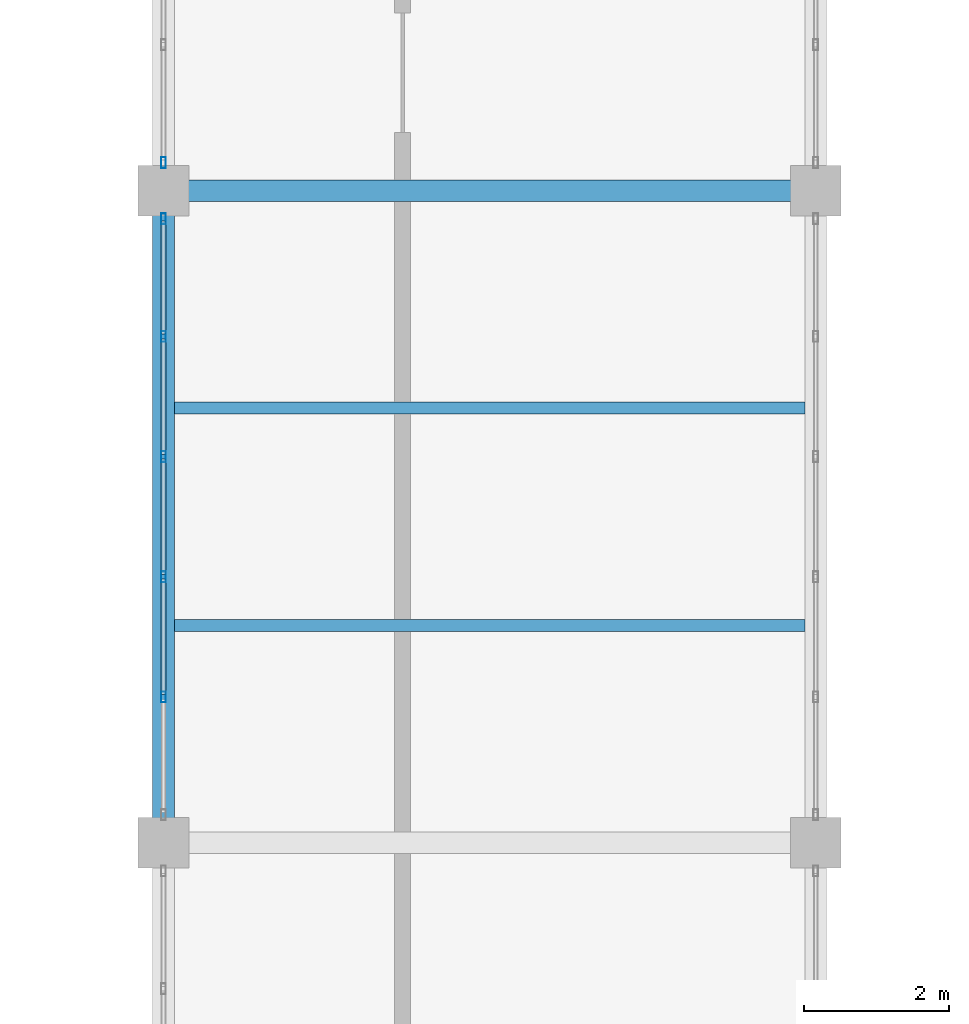
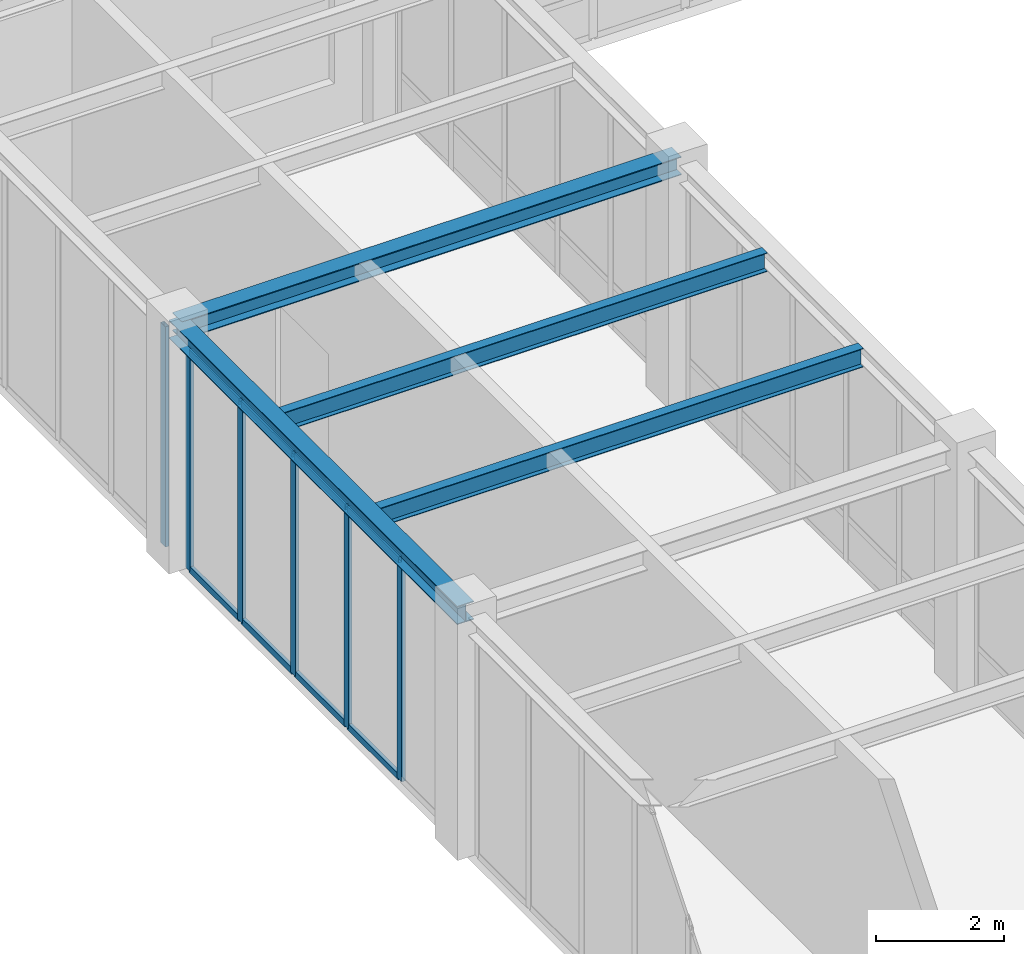
# One storey, part 51 of 92: 14 members, 4 beams, 2 elements without a shape of their own.
"""IFC4 building model written with IfcOpenShell, lengths in metres."""

from ifc_helpers import new_model, si_unit, direction, frame, origin, origin_2d, place, context, subcontext, project, spatial, hollow_rectangle, i_section, extrude, material, material_profile, profile_set, type_object, element, aggregate, save


model = new_model("IFC4")

# Units and contexts
model_context = context("Model", 3, precision=1e-05, world=origin(), true_north=direction((0.0, 1.0)))
body_context = subcontext(model_context, "Body", "Model", "MODEL_VIEW")
ifc_project = project(units=[si_unit("LENGTHUNIT", "METRE"), si_unit("AREAUNIT", "SQUARE_METRE"), si_unit("VOLUMEUNIT", "CUBIC_METRE"), si_unit("PLANEANGLEUNIT", "RADIAN"), si_unit("MASSUNIT", "GRAM", prefix="KILO")], contexts=[model_context])

# Site, building, storey
site_placement = place(None, origin())
site = spatial("IfcSite", under=ifc_project, at=site_placement, CompositionType="ELEMENT")
building_placement = place(site_placement, origin())
building = spatial("IfcBuilding", under=site, at=building_placement, Name="Lykobir Media Centre", CompositionType="ELEMENT")
storey_placement = place(building_placement, frame((0.0, 0.0, 5.39990234375)))
storey = spatial("IfcBuildingStorey", under=building, at=storey_placement, Name="L01", CompositionType="ELEMENT", Elevation=5.39990234375)

# Curtain wall, members
ifc_material_1 = material(Name="Anodized Aluminium AW-6060", Category="aluminium")
curtain_wall_type = type_object("IfcCurtainWallType", Name="CW-BRIDGE", PredefinedType="NOTDEFINED", material=ifc_material_1)
curtain_wall_1_placement = place(storey_placement, origin())
curtain_wall_1 = element("IfcCurtainWall", 1, at=curtain_wall_1_placement, inside=storey, type_object=curtain_wall_type, Name="Curtain wall CW2-L01-0041", PredefinedType="NOTDEFINED")
ifc_material_profile_1 = material_profile(ifc_material_1, hollow_rectangle(XDim=0.06494140625, YDim=0.14990234375, WallThickness=0.00341796875, at=origin_2d()), Name="ALU MULLION 65x150")
ifc_profile_set_1 = profile_set([ifc_material_profile_1], Name="Anodized Aluminium AW-6060")
member_type_1 = type_object("IfcMemberType", Name="CWM-150", PredefinedType="MULLION", material=ifc_profile_set_1)
member_1_placement = place(storey_placement, frame((90.0, 56.012939453125, 0.0), z_axis=(0.0, 0.0, 1.0), x_axis=(-1.0, 0.0, 0.0)))
member_1 = element("IfcMember", 2, at=member_1_placement, type_object=member_type_1, Name="CW2-L01-0041 mullion 2", PredefinedType="MULLION", context=body_context, shape_type="SweptSolid", body=[
    extrude(hollow_rectangle(XDim=0.06494140625, YDim=0.14990234375, WallThickness=0.00341796875, at=origin_2d()), origin(), (0.0, 0.0, 1.0), 4.195068359375),
])
member_2_placement = place(storey_placement, frame((90.0, 57.6708984375, 0.0), z_axis=(0.0, 0.0, 1.0), x_axis=(-1.0, 0.0, 0.0)))
member_2 = element("IfcMember", 3, at=member_2_placement, type_object=member_type_1, Name="CW2-L01-0041 mullion 3", PredefinedType="MULLION", context=body_context, shape_type="SweptSolid", body=[
    extrude(hollow_rectangle(XDim=0.06494140625, YDim=0.14990234375, WallThickness=0.00341796875, at=origin_2d()), origin(), (0.0, 0.0, 1.0), 4.195068359375),
])
member_3_placement = place(storey_placement, frame((90.0, 59.3291015625, 0.0), z_axis=(0.0, 0.0, 1.0), x_axis=(-1.0, 0.0, 0.0)))
member_3 = element("IfcMember", 4, at=member_3_placement, type_object=member_type_1, Name="CW2-L01-0041 mullion 4", PredefinedType="MULLION", context=body_context, shape_type="SweptSolid", body=[
    extrude(hollow_rectangle(XDim=0.06494140625, YDim=0.14990234375, WallThickness=0.00341796875, at=origin_2d()), origin(), (0.0, 0.0, 1.0), 4.195068359375),
])
member_4_placement = place(storey_placement, frame((90.0, 60.987060546875, 0.0), z_axis=(0.0, 0.0, 1.0), x_axis=(-1.0, 0.0, 0.0)))
member_4 = element("IfcMember", 5, at=member_4_placement, type_object=member_type_1, Name="CW2-L01-0041 mullion 5", PredefinedType="MULLION", context=body_context, shape_type="SweptSolid", body=[
    extrude(hollow_rectangle(XDim=0.06494140625, YDim=0.14990234375, WallThickness=0.00341796875, at=origin_2d()), origin(), (0.0, 0.0, 1.0), 4.195068359375),
])
member_5_placement = place(storey_placement, frame((90.0, 62.612548828125, 0.0), z_axis=(0.0, 0.0, 1.0), x_axis=(-1.0, 0.0, 0.0)))
member_5 = element("IfcMember", 6, at=member_5_placement, type_object=member_type_1, Name="CW2-L01-0041 mullion 6", PredefinedType="MULLION", context=body_context, shape_type="SweptSolid", body=[
    extrude(hollow_rectangle(XDim=0.06494140625, YDim=0.14990234375, WallThickness=0.00341796875, at=origin_2d()), origin(), (0.0, 0.0, 1.0), 4.195068359375),
])

# Curtain wall, member
curtain_wall_2_placement = place(storey_placement, origin())
curtain_wall_2 = element("IfcCurtainWall", 7, at=curtain_wall_2_placement, inside=storey, type_object=curtain_wall_type, Name="Curtain wall CW2-L01-0042", PredefinedType="NOTDEFINED")
member_6_placement = place(storey_placement, frame((90.0, 63.387451171875, 0.0), z_axis=(0.0, 0.0, 1.0), x_axis=(-1.0, 0.0, 0.0)))
member_6 = element("IfcMember", 8, at=member_6_placement, type_object=member_type_1, Name="CW2-L01-0042 mullion 1", PredefinedType="MULLION", context=body_context, shape_type="SweptSolid", body=[
    extrude(hollow_rectangle(XDim=0.06494140625, YDim=0.14990234375, WallThickness=0.00341796875, at=origin_2d()), origin(), (0.0, 0.0, 1.0), 4.195068359375),
])
aggregate(curtain_wall_2, [member_6])

# Member
ifc_material_profile_2 = material_profile(ifc_material_1, hollow_rectangle(XDim=0.06494140625, YDim=0.1201171875, WallThickness=0.0029296875, at=origin_2d()), Name="ALU TRANSOM 65x120")
ifc_profile_set_2 = profile_set([ifc_material_profile_2], Name="Anodized Aluminium AW-6060")
member_type_2 = type_object("IfcMemberType", Name="CWT-120", PredefinedType="USERDEFINED", material=ifc_profile_set_2)
member_7_placement = place(storey_placement, frame((90.0, 56.04541015625, 0.03271484375), z_axis=(0.0, 1.0, 0.0), x_axis=(-1.0, 0.0, 0.0)))
member_7 = element("IfcMember", 9, at=member_7_placement, type_object=member_type_2, Name="CW2-L01-0041 transom 2.1", ObjectType="TRANSOM", PredefinedType="USERDEFINED", context=body_context, shape_type="SweptSolid", body=[
    extrude(hollow_rectangle(XDim=0.06494140625, YDim=0.1201171875, WallThickness=0.0029296875, at=origin_2d()), origin(), (0.0, 0.0, 1.0), 1.593017578125),
])

member_8_placement = place(storey_placement, frame((90.0, 56.04541015625, 4.16259765625), z_axis=(0.0, 1.0, 0.0), x_axis=(-1.0, 0.0, 0.0)))
member_8 = element("IfcMember", 10, at=member_8_placement, type_object=member_type_2, Name="CW2-L01-0041 transom 2.2", ObjectType="TRANSOM", PredefinedType="USERDEFINED", context=body_context, shape_type="SweptSolid", body=[
    extrude(hollow_rectangle(XDim=0.06494140625, YDim=0.1201171875, WallThickness=0.0029296875, at=origin_2d()), origin(), (0.0, 0.0, 1.0), 1.593017578125),
])

member_9_placement = place(storey_placement, frame((90.0, 57.70361328125, 0.03271484375), z_axis=(0.0, 1.0, 0.0), x_axis=(-1.0, 0.0, 0.0)))
member_9 = element("IfcMember", 11, at=member_9_placement, type_object=member_type_2, Name="CW2-L01-0041 transom 3.1", ObjectType="TRANSOM", PredefinedType="USERDEFINED", context=body_context, shape_type="SweptSolid", body=[
    extrude(hollow_rectangle(XDim=0.06494140625, YDim=0.1201171875, WallThickness=0.0029296875, at=origin_2d()), origin(), (0.0, 0.0, 1.0), 1.5927734375),
])

member_10_placement = place(storey_placement, frame((90.0, 57.70361328125, 4.16259765625), z_axis=(0.0, 1.0, 0.0), x_axis=(-1.0, 0.0, 0.0)))
member_10 = element("IfcMember", 12, at=member_10_placement, type_object=member_type_2, Name="CW2-L01-0041 transom 3.2", ObjectType="TRANSOM", PredefinedType="USERDEFINED", context=body_context, shape_type="SweptSolid", body=[
    extrude(hollow_rectangle(XDim=0.06494140625, YDim=0.1201171875, WallThickness=0.0029296875, at=origin_2d()), origin(), (0.0, 0.0, 1.0), 1.5927734375),
])

member_11_placement = place(storey_placement, frame((90.0, 59.361572265625, 0.03271484375), z_axis=(0.0, 1.0, 0.0), x_axis=(-1.0, 0.0, 0.0)))
member_11 = element("IfcMember", 13, at=member_11_placement, type_object=member_type_2, Name="CW2-L01-0041 transom 4.1", ObjectType="TRANSOM", PredefinedType="USERDEFINED", context=body_context, shape_type="SweptSolid", body=[
    extrude(hollow_rectangle(XDim=0.06494140625, YDim=0.1201171875, WallThickness=0.0029296875, at=origin_2d()), origin(), (0.0, 0.0, 1.0), 1.593017578125),
])

member_12_placement = place(storey_placement, frame((90.0, 59.361572265625, 4.16259765625), z_axis=(0.0, 1.0, 0.0), x_axis=(-1.0, 0.0, 0.0)))
member_12 = element("IfcMember", 14, at=member_12_placement, type_object=member_type_2, Name="CW2-L01-0041 transom 4.2", ObjectType="TRANSOM", PredefinedType="USERDEFINED", context=body_context, shape_type="SweptSolid", body=[
    extrude(hollow_rectangle(XDim=0.06494140625, YDim=0.1201171875, WallThickness=0.0029296875, at=origin_2d()), origin(), (0.0, 0.0, 1.0), 1.593017578125),
])

member_13_placement = place(storey_placement, frame((90.0, 61.01953125, 0.03271484375), z_axis=(0.0, 1.0, 0.0), x_axis=(-1.0, 0.0, 0.0)))
member_13 = element("IfcMember", 15, at=member_13_placement, type_object=member_type_2, Name="CW2-L01-0041 transom 5.1", ObjectType="TRANSOM", PredefinedType="USERDEFINED", context=body_context, shape_type="SweptSolid", body=[
    extrude(hollow_rectangle(XDim=0.06494140625, YDim=0.1201171875, WallThickness=0.0029296875, at=origin_2d()), origin(), (0.0, 0.0, 1.0), 1.560546875),
])

member_14_placement = place(storey_placement, frame((90.0, 61.01953125, 4.16259765625), z_axis=(0.0, 1.0, 0.0), x_axis=(-1.0, 0.0, 0.0)))
member_14 = element("IfcMember", 16, at=member_14_placement, type_object=member_type_2, Name="CW2-L01-0041 transom 5.2", ObjectType="TRANSOM", PredefinedType="USERDEFINED", context=body_context, shape_type="SweptSolid", body=[
    extrude(hollow_rectangle(XDim=0.06494140625, YDim=0.1201171875, WallThickness=0.0029296875, at=origin_2d()), origin(), (0.0, 0.0, 1.0), 1.560546875),
])

aggregate(curtain_wall_1, [member_1, member_2, member_3, member_4, member_5, member_7, member_8, member_9, member_10, member_11, member_12, member_13, member_14])

# Beams
ifc_material_2 = material(Name="Steel S355", Category="steel")
ifc_material_profile_3 = material_profile(ifc_material_2, i_section(OverallWidth=0.169921875, OverallDepth=0.360107421875, WebThickness=0.008056640625, FlangeThickness=0.0126953125, at=origin_2d()), Name="IPE 360")
ifc_profile_set_3 = profile_set([ifc_material_profile_3], Name="Steel S355")
beam_type_1 = type_object("IfcBeamType", Name="JS-IPE360", PredefinedType="JOIST", material=ifc_profile_set_3)
for number, where, z_axis, x_axis, name in (
    (17, (90.14990234375, 57.0, 4.380126953125), (1.0, 0.0, 0.0), (0.0, 1.0, 0.0), "Beam BM-L01-0902-0570-0988-0570-978"),
    (18, (90.14990234375, 60.0, 4.380126953125), (1.0, 0.0, 0.0), (0.0, 1.0, 0.0), "Beam BM-L01-0902-0600-0988-0600-978"),
):
    element("IfcBeam", number, at=place(storey_placement, frame(where, z_axis=z_axis, x_axis=x_axis)), inside=storey, type_object=beam_type_1, Name=name, PredefinedType="JOIST", context=body_context, shape_type="SweptSolid", body=[
        extrude(i_section(OverallWidth=0.169921875, OverallDepth=0.360107421875, WebThickness=0.008056640625, FlangeThickness=0.0126953125, at=origin_2d()), origin(), (0.0, 0.0, 1.0), 8.7001953125),
    ])
ifc_material_profile_4 = material_profile(ifc_material_2, i_section(OverallWidth=0.300048828125, OverallDepth=0.35009765625, WebThickness=0.010009765625, FlangeThickness=0.017578125, at=origin_2d()), Name="HEA 360")
ifc_profile_set_4 = profile_set([ifc_material_profile_4], Name="Steel S355")
beam_type_2 = type_object("IfcBeamType", Name="SP-HEA360", PredefinedType="SPANDREL", material=ifc_profile_set_4)
beam_1_placement = place(storey_placement, frame((90.0, 63.0, 4.385009765625), z_axis=(1.0, 0.0, 0.0), x_axis=(0.0, 1.0, 0.0)))
element("IfcBeam", 19, at=beam_1_placement, inside=storey, type_object=beam_type_2, Name="Beam BM-L01-0900-0630-0990-0630-978", PredefinedType="SPANDREL", context=body_context, shape_type="SweptSolid", body=[
    extrude(i_section(OverallWidth=0.300048828125, OverallDepth=0.35009765625, WebThickness=0.010009765625, FlangeThickness=0.017578125, at=origin_2d()), origin(), (0.0, 0.0, 1.0), 9.0),
])
ifc_material_profile_5 = material_profile(ifc_material_2, i_section(OverallWidth=0.300048828125, OverallDepth=0.35009765625, WebThickness=0.010009765625, FlangeThickness=0.017578125, at=origin_2d()), Name="HEA 360")
ifc_profile_set_5 = profile_set([ifc_material_profile_5], Name="Steel S355")
beam_type_3 = type_object("IfcBeamType", Name="SP-HEA360-E", PredefinedType="SPANDREL", material=ifc_profile_set_5)
beam_2_placement = place(storey_placement, frame((90.0, 54.0, 4.385009765625), z_axis=(0.0, 1.0, 0.0), x_axis=(-1.0, 0.0, 0.0)))
element("IfcBeam", 20, at=beam_2_placement, inside=storey, type_object=beam_type_3, Name="Beam BM-L01-0900-0540-0900-0630-978", PredefinedType="SPANDREL", context=body_context, shape_type="SweptSolid", body=[
    extrude(i_section(OverallWidth=0.300048828125, OverallDepth=0.35009765625, WebThickness=0.010009765625, FlangeThickness=0.017578125, at=origin_2d()), origin(), (0.0, 0.0, 1.0), 9.0),
])

save(model, "model.ifc")
